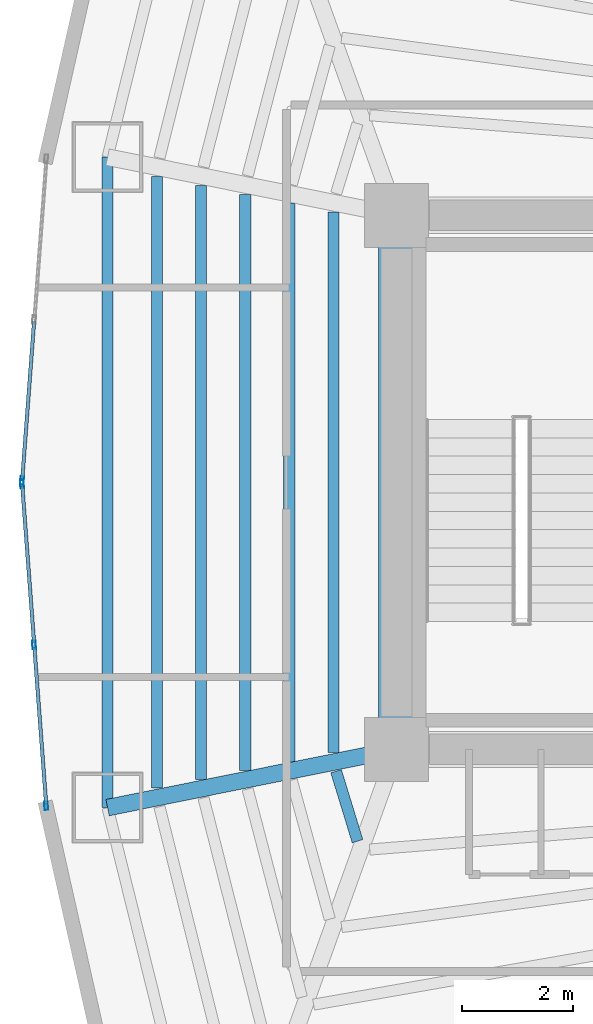
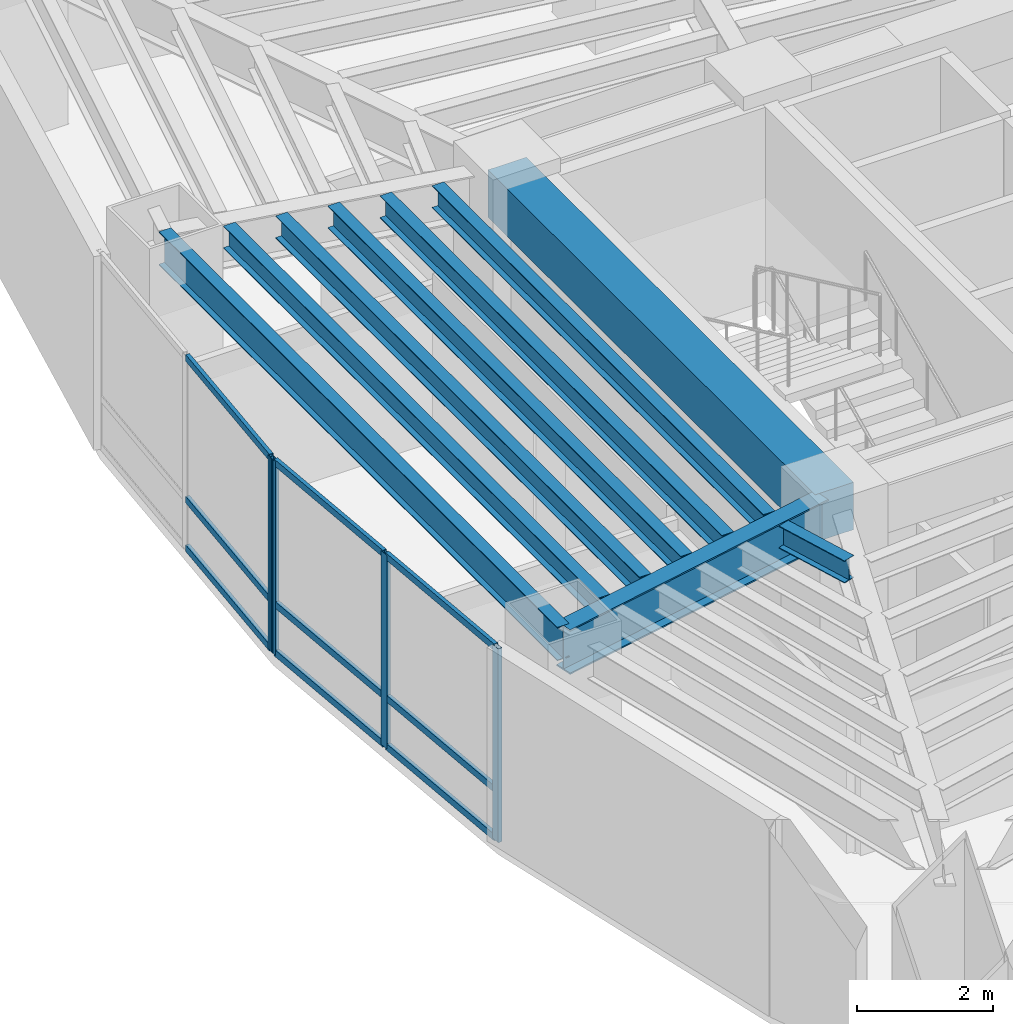
# One storey, part 3 of 18: 13 members, 9 beams, 2 elements without a shape of their own.
"""IFC4 building model written with IfcOpenShell, lengths in metres."""

from ifc_helpers import new_model, si_unit, direction, frame, origin, origin_2d, place, context, subcontext, project, spatial, rectangle, hollow_rectangle, i_section, extrude, material, layer, layer_set, material_profile, profile_set, type_object, element, aggregate, save


model = new_model("IFC4")

# Units and contexts
model_context = context("Model", 3, precision=1e-05, world=origin(), true_north=direction((0.0, 1.0)))
body_context = subcontext(model_context, "Body", "Model", "MODEL_VIEW")
ifc_project = project(units=[si_unit("LENGTHUNIT", "METRE"), si_unit("AREAUNIT", "SQUARE_METRE"), si_unit("VOLUMEUNIT", "CUBIC_METRE"), si_unit("PLANEANGLEUNIT", "RADIAN"), si_unit("MASSUNIT", "GRAM", prefix="KILO")], contexts=[model_context])

# Site, building, storey
site_placement = place(None, origin())
site = spatial("IfcSite", under=ifc_project, at=site_placement, CompositionType="ELEMENT")
building_placement = place(site_placement, origin())
building = spatial("IfcBuilding", under=site, at=building_placement, Name="Menara Vayukalpa", CompositionType="ELEMENT")
storey_placement = place(building_placement, frame((0.0, 0.0, 89.10009765625)))
storey = spatial("IfcBuildingStorey", under=building, at=storey_placement, Name="L21", CompositionType="ELEMENT", Elevation=89.10009765625)

# Beams
ifc_material_1 = material(Name="Concrete C60/75", Category="concrete")
ifc_material_profile_1 = material_profile(ifc_material_1, rectangle(XDim=0.64990234375, YDim=0.85009765625, at=origin_2d()), Name="RC 650x850")
ifc_profile_set_1 = profile_set([ifc_material_profile_1], Name="Concrete C60/75")
beam_type_1 = type_object("IfcBeamType", Name="BM-CB1", PredefinedType="BEAM", material=ifc_profile_set_1)
beam_1_placement = place(storey_placement, frame((17.800048828125, 17.199951171875, 3.044921875), z_axis=(0.0, 1.0, 0.0), x_axis=(-1.0, 0.0, 0.0)))
element("IfcBeam", 1, at=beam_1_placement, inside=storey, type_object=beam_type_1, Name="L21 Core Tie Beam CBR7", PredefinedType="BEAM", context=body_context, shape_type="SweptSolid", body=[
    extrude(rectangle(XDim=0.64990234375, YDim=0.85009765625, at=origin_2d()), origin(), (0.0, 0.0, 1.0), 9.60009765625),
])
ifc_material_2 = material(Name="Steel S355", Category="steel")
ifc_material_profile_2 = material_profile(ifc_material_2, i_section(OverallWidth=0.300048828125, OverallDepth=0.800048828125, WebThickness=0.013916015625, FlangeThickness=0.02587890625, at=origin_2d()), Name="WF 800x300x14x26")
ifc_profile_set_2 = profile_set([ifc_material_profile_2], Name="Steel S355")
beam_type_2 = type_object("IfcBeamType", Name="BM-PG3", PredefinedType="BEAM", material=ifc_profile_set_2)
beam_2_placement = place(storey_placement, frame((17.554931640625, 17.150634765625, 3.06982421875), z_axis=(-0.980324984906, -0.197390283373, 0.0), x_axis=(0.197390283373, -0.980324984906, 0.0)))
element("IfcBeam", 2, at=beam_2_placement, inside=storey, type_object=beam_type_2, Name="L21 Primary Radial Girder RG06", PredefinedType="BEAM", context=body_context, shape_type="SweptSolid", body=[
    extrude(i_section(OverallWidth=0.300048828125, OverallDepth=0.800048828125, WebThickness=0.013916015625, FlangeThickness=0.02587890625, at=origin_2d()), origin(), (0.0, 0.0, 1.0), 5.047607421875),
])
ifc_material_3 = material(Name="Steel S355", Category="steel")
ifc_material_profile_3 = material_profile(ifc_material_3, i_section(OverallWidth=0.199951171875, OverallDepth=0.39990234375, WebThickness=0.008056640625, FlangeThickness=0.012939453125, at=origin_2d()), Name="WF 400x200x8x13")
ifc_profile_set_3 = profile_set([ifc_material_profile_3], Name="Steel S355")
beam_type_3 = type_object("IfcBeamType", Name="BM-SJ2", PredefinedType="JOIST", material=ifc_profile_set_3)
beam_3_placement = place(storey_placement, frame((16.664306640625, 26.858642578125, 3.27001953125), z_axis=(0.0, -1.0, 0.0), x_axis=(1.0, 0.0, 0.0)))
element("IfcBeam", 3, at=beam_3_placement, inside=storey, type_object=beam_type_3, Name="L21 Secondary Floor Joist SJ05-1", PredefinedType="JOIST", context=body_context, shape_type="SweptSolid", body=[
    extrude(i_section(OverallWidth=0.199951171875, OverallDepth=0.39990234375, WebThickness=0.008056640625, FlangeThickness=0.012939453125, at=origin_2d()), origin(), (0.0, 0.0, 1.0), 9.71728515625),
])
beam_4_placement = place(storey_placement, frame((15.87255859375, 27.01806640625, 3.27001953125), z_axis=(0.0, -1.0, 0.0), x_axis=(1.0, 0.0, 0.0)))
element("IfcBeam", 4, at=beam_4_placement, inside=storey, type_object=beam_type_3, Name="L21 Secondary Floor Joist SJ05-2", PredefinedType="JOIST", context=body_context, shape_type="SweptSolid", body=[
    extrude(i_section(OverallWidth=0.199951171875, OverallDepth=0.39990234375, WebThickness=0.008056640625, FlangeThickness=0.012939453125, at=origin_2d()), origin(), (0.0, 0.0, 1.0), 10.0361328125),
])
beam_5_placement = place(storey_placement, frame((15.080810546875, 27.177490234375, 3.27001953125), z_axis=(0.0, -1.0, 0.0), x_axis=(1.0, 0.0, 0.0)))
element("IfcBeam", 5, at=beam_5_placement, inside=storey, type_object=beam_type_3, Name="L21 Secondary Floor Joist SJ05-3", PredefinedType="JOIST", context=body_context, shape_type="SweptSolid", body=[
    extrude(i_section(OverallWidth=0.199951171875, OverallDepth=0.39990234375, WebThickness=0.008056640625, FlangeThickness=0.012939453125, at=origin_2d()), origin(), (0.0, 0.0, 1.0), 10.35498046875),
])
beam_6_placement = place(storey_placement, frame((14.2890625, 27.3369140625, 3.27001953125), z_axis=(0.0, -1.0, 0.0), x_axis=(1.0, 0.0, 0.0)))
element("IfcBeam", 6, at=beam_6_placement, inside=storey, type_object=beam_type_3, Name="L21 Secondary Floor Joist SJ05-4", PredefinedType="JOIST", context=body_context, shape_type="SweptSolid", body=[
    extrude(i_section(OverallWidth=0.199951171875, OverallDepth=0.39990234375, WebThickness=0.008056640625, FlangeThickness=0.012939453125, at=origin_2d()), origin(), (0.0, 0.0, 1.0), 10.673828125),
])
beam_7_placement = place(storey_placement, frame((13.497314453125, 27.496337890625, 3.27001953125), z_axis=(0.0, -1.0, 0.0), x_axis=(1.0, 0.0, 0.0)))
element("IfcBeam", 7, at=beam_7_placement, inside=storey, type_object=beam_type_3, Name="L21 Secondary Floor Joist SJ05-5", PredefinedType="JOIST", context=body_context, shape_type="SweptSolid", body=[
    extrude(i_section(OverallWidth=0.199951171875, OverallDepth=0.39990234375, WebThickness=0.008056640625, FlangeThickness=0.012939453125, at=origin_2d()), origin(), (0.0, 0.0, 1.0), 10.99267578125),
])
beam_8_placement = place(storey_placement, frame((16.714111328125, 16.808837890625, 3.27001953125), z_axis=(0.292651981473, -0.956219021846, 0.0), x_axis=(0.956219021846, 0.292651981473, 0.0)))
element("IfcBeam", 8, at=beam_8_placement, inside=storey, type_object=beam_type_3, Name="L21 Secondary Floor Joist SJ06-1", PredefinedType="JOIST", context=body_context, shape_type="SweptSolid", body=[
    extrude(i_section(OverallWidth=0.199951171875, OverallDepth=0.39990234375, WebThickness=0.008056640625, FlangeThickness=0.012939453125, at=origin_2d()), origin(), (0.0, 0.0, 1.0), 1.31640625),
])
ifc_material_4 = material(Name="Steel S355", Category="steel")
ifc_material_profile_4 = material_profile(ifc_material_4, i_section(OverallWidth=0.199951171875, OverallDepth=0.60009765625, WebThickness=0.010986328125, FlangeThickness=0.01708984375, at=origin_2d()), Name="WF 600x200x11x17")
ifc_profile_set_4 = profile_set([ifc_material_profile_4], Name="Steel S355")
beam_type_4 = type_object("IfcBeamType", Name="BM-SP1", PredefinedType="SPANDREL", material=ifc_profile_set_4)
beam_9_placement = place(storey_placement, frame((12.606689453125, 27.845703125, 3.169921875), z_axis=(0.0, -1.0, 0.0), x_axis=(1.0, 0.0, 0.0)))
element("IfcBeam", 9, at=beam_9_placement, inside=storey, type_object=beam_type_4, Name="L21 Perimeter Spandrel Beam SP05", PredefinedType="SPANDREL", context=body_context, shape_type="SweptSolid", body=[
    extrude(i_section(OverallWidth=0.199951171875, OverallDepth=0.60009765625, WebThickness=0.010986328125, FlangeThickness=0.01708984375, at=origin_2d()), origin(), (0.0, 0.0, 1.0), 11.69140625),
])

# Curtain wall, member
ifc_material_5 = material(Name="Anodised Terracotta Aluminium Alloy 6063-T6", Category="masonry")
ifc_layer = layer(ifc_material_5, 0.14990234375)
ifc_layer_set = layer_set([ifc_layer], Name="Anodised Terracotta Aluminium Alloy 6063-T6")
curtain_wall_type = type_object("IfcCurtainWallType", Name="CW-CW3", PredefinedType="USERDEFINED", material=ifc_layer_set)
curtain_wall_1_placement = place(storey_placement, origin())
curtain_wall_1 = element("IfcCurtainWall", 10, at=curtain_wall_1_placement, inside=storey, type_object=curtain_wall_type, Name="L21 Mid Rise Terracotta Ribbon Curtain Wall CW3 10", ObjectType="UNITISED", PredefinedType="USERDEFINED")
ifc_material_6 = material(Name="Anodised Terracotta Aluminium Alloy 6063-T6", Category="masonry")
ifc_material_profile_5 = material_profile(ifc_material_6, hollow_rectangle(XDim=0.06494140625, YDim=0.14990234375, WallThickness=0.00341796875, at=origin_2d()), Name="ALU 65x150x3.5")
ifc_profile_set_5 = profile_set([ifc_material_profile_5], Name="Anodised Terracotta Aluminium Alloy 6063-T6")
member_type_1 = type_object("IfcMemberType", Name="CWM-CW3", PredefinedType="MULLION", material=ifc_profile_set_5)
member_1_placement = place(storey_placement, frame((11.070556640625, 22.032470703125, 0.0), z_axis=(0.0, 0.0, 1.0), x_axis=(0.997199659745, -0.07478528334, 0.0)))
member_1 = element("IfcMember", 11, at=member_1_placement, type_object=member_type_1, Name="CW3 mullion 3", PredefinedType="MULLION", context=body_context, shape_type="SweptSolid", body=[
    extrude(hollow_rectangle(XDim=0.06494140625, YDim=0.14990234375, WallThickness=0.00341796875, at=origin_2d()), origin(), (0.0, 0.0, 1.0), 3.469970703125),
])

# Curtain wall, members
curtain_wall_2_placement = place(storey_placement, origin())
curtain_wall_2 = element("IfcCurtainWall", 12, at=curtain_wall_2_placement, inside=storey, type_object=curtain_wall_type, Name="L21 Mid Rise Terracotta Ribbon Curtain Wall CW3 11", ObjectType="UNITISED", PredefinedType="USERDEFINED")
member_2_placement = place(storey_placement, frame((11.070556640625, 21.967529296875, 0.0), z_axis=(0.0, 0.0, 1.0), x_axis=(0.997199659745, 0.07478528334, 0.0)))
member_2 = element("IfcMember", 13, at=member_2_placement, type_object=member_type_1, Name="CW3 mullion 1", PredefinedType="MULLION", context=body_context, shape_type="SweptSolid", body=[
    extrude(hollow_rectangle(XDim=0.06494140625, YDim=0.14990234375, WallThickness=0.00341796875, at=origin_2d()), origin(), (0.0, 0.0, 1.0), 3.469970703125),
])
member_3_placement = place(storey_placement, frame((11.287353515625, 19.0771484375, 0.0), z_axis=(0.0, 0.0, 1.0), x_axis=(0.997199659745, 0.07478528334, 0.0)))
member_3 = element("IfcMember", 14, at=member_3_placement, type_object=member_type_1, Name="CW3 mullion 2", PredefinedType="MULLION", context=body_context, shape_type="SweptSolid", body=[
    extrude(hollow_rectangle(XDim=0.06494140625, YDim=0.14990234375, WallThickness=0.00341796875, at=origin_2d()), origin(), (0.0, 0.0, 1.0), 3.469970703125),
])
member_4_placement = place(storey_placement, frame((11.504150390625, 16.186767578125, 0.0), z_axis=(0.0, 0.0, 1.0), x_axis=(0.997199659745, 0.07478528334, 0.0)))
member_4 = element("IfcMember", 15, at=member_4_placement, type_object=member_type_1, Name="CW3 mullion 3", PredefinedType="MULLION", context=body_context, shape_type="SweptSolid", body=[
    extrude(hollow_rectangle(XDim=0.06494140625, YDim=0.14990234375, WallThickness=0.00341796875, at=origin_2d()), origin(), (0.0, 0.0, 1.0), 3.469970703125),
])

# Member
ifc_material_7 = material(Name="Anodised Terracotta Aluminium Alloy 6063-T6", Category="masonry")
ifc_material_profile_6 = material_profile(ifc_material_7, hollow_rectangle(XDim=0.06494140625, YDim=0.1201171875, WallThickness=0.00341796875, at=origin_2d()), Name="ALU 65x120x3.5")
ifc_profile_set_6 = profile_set([ifc_material_profile_6], Name="Anodised Terracotta Aluminium Alloy 6063-T6")
member_type_2 = type_object("IfcMemberType", Name="CWT-CW3", PredefinedType="USERDEFINED", material=ifc_profile_set_6)
member_5_placement = place(storey_placement, frame((11.284912109375, 24.890380859375, 0.032470703125), z_axis=(-0.074785664408, -0.997199631167, 0.0), x_axis=(0.997199631167, -0.074785664408, 0.0)))
member_5 = element("IfcMember", 16, at=member_5_placement, type_object=member_type_2, Name="CW3 transom 2.1", ObjectType="TRANSOM", PredefinedType="USERDEFINED", context=body_context, shape_type="SweptSolid", body=[
    extrude(hollow_rectangle(XDim=0.06494140625, YDim=0.1201171875, WallThickness=0.00341796875, at=origin_2d()), origin(), (0.0, 0.0, 1.0), 2.833740234375),
])

member_6_placement = place(storey_placement, frame((11.284912109375, 24.890380859375, 0.89990234375), z_axis=(-0.074785664408, -0.997199631167, 0.0), x_axis=(0.997199631167, -0.074785664408, 0.0)))
member_6 = element("IfcMember", 17, at=member_6_placement, type_object=member_type_2, Name="CW3 transom 2.2", ObjectType="TRANSOM", PredefinedType="USERDEFINED", context=body_context, shape_type="SweptSolid", body=[
    extrude(hollow_rectangle(XDim=0.06494140625, YDim=0.1201171875, WallThickness=0.00341796875, at=origin_2d()), origin(), (0.0, 0.0, 1.0), 2.833740234375),
])

member_7_placement = place(storey_placement, frame((11.284912109375, 24.890380859375, 3.4375), z_axis=(-0.074785664408, -0.997199631167, 0.0), x_axis=(0.997199631167, -0.074785664408, 0.0)))
member_7 = element("IfcMember", 18, at=member_7_placement, type_object=member_type_2, Name="CW3 transom 2.3", ObjectType="TRANSOM", PredefinedType="USERDEFINED", context=body_context, shape_type="SweptSolid", body=[
    extrude(hollow_rectangle(XDim=0.06494140625, YDim=0.1201171875, WallThickness=0.00341796875, at=origin_2d()), origin(), (0.0, 0.0, 1.0), 2.833740234375),
])

aggregate(curtain_wall_1, [member_1, member_5, member_6, member_7])

member_8_placement = place(storey_placement, frame((11.072998046875, 21.935302734375, 0.032470703125), z_axis=(0.074785664408, -0.997199631167, 0.0), x_axis=(0.997199631167, 0.074785664408, 0.0)))
member_8 = element("IfcMember", 19, at=member_8_placement, type_object=member_type_2, Name="CW3 transom 1.1", ObjectType="TRANSOM", PredefinedType="USERDEFINED", context=body_context, shape_type="SweptSolid", body=[
    extrude(hollow_rectangle(XDim=0.06494140625, YDim=0.1201171875, WallThickness=0.00341796875, at=origin_2d()), origin(), (0.0, 0.0, 1.0), 2.833740234375),
])

member_9_placement = place(storey_placement, frame((11.072998046875, 21.935302734375, 0.89990234375), z_axis=(0.074785664408, -0.997199631167, 0.0), x_axis=(0.997199631167, 0.074785664408, 0.0)))
member_9 = element("IfcMember", 20, at=member_9_placement, type_object=member_type_2, Name="CW3 transom 1.2", ObjectType="TRANSOM", PredefinedType="USERDEFINED", context=body_context, shape_type="SweptSolid", body=[
    extrude(hollow_rectangle(XDim=0.06494140625, YDim=0.1201171875, WallThickness=0.00341796875, at=origin_2d()), origin(), (0.0, 0.0, 1.0), 2.833740234375),
])

member_10_placement = place(storey_placement, frame((11.072998046875, 21.935302734375, 3.4375), z_axis=(0.074785664408, -0.997199631167, 0.0), x_axis=(0.997199631167, 0.074785664408, 0.0)))
member_10 = element("IfcMember", 21, at=member_10_placement, type_object=member_type_2, Name="CW3 transom 1.3", ObjectType="TRANSOM", PredefinedType="USERDEFINED", context=body_context, shape_type="SweptSolid", body=[
    extrude(hollow_rectangle(XDim=0.06494140625, YDim=0.1201171875, WallThickness=0.00341796875, at=origin_2d()), origin(), (0.0, 0.0, 1.0), 2.833740234375),
])

member_11_placement = place(storey_placement, frame((11.289794921875, 19.044677734375, 0.032470703125), z_axis=(0.074792090342, -0.997199149229, 0.0), x_axis=(0.997199149229, 0.074792090342, 0.0)))
member_11 = element("IfcMember", 22, at=member_11_placement, type_object=member_type_2, Name="CW3 transom 2.1", ObjectType="TRANSOM", PredefinedType="USERDEFINED", context=body_context, shape_type="SweptSolid", body=[
    extrude(hollow_rectangle(XDim=0.06494140625, YDim=0.1201171875, WallThickness=0.00341796875, at=origin_2d()), origin(), (0.0, 0.0, 1.0), 2.83349609375),
])

member_12_placement = place(storey_placement, frame((11.289794921875, 19.044677734375, 0.89990234375), z_axis=(0.074792090342, -0.997199149229, 0.0), x_axis=(0.997199149229, 0.074792090342, 0.0)))
member_12 = element("IfcMember", 23, at=member_12_placement, type_object=member_type_2, Name="CW3 transom 2.2", ObjectType="TRANSOM", PredefinedType="USERDEFINED", context=body_context, shape_type="SweptSolid", body=[
    extrude(hollow_rectangle(XDim=0.06494140625, YDim=0.1201171875, WallThickness=0.00341796875, at=origin_2d()), origin(), (0.0, 0.0, 1.0), 2.83349609375),
])

member_13_placement = place(storey_placement, frame((11.289794921875, 19.044677734375, 3.4375), z_axis=(0.074792090342, -0.997199149229, 0.0), x_axis=(0.997199149229, 0.074792090342, 0.0)))
member_13 = element("IfcMember", 24, at=member_13_placement, type_object=member_type_2, Name="CW3 transom 2.3", ObjectType="TRANSOM", PredefinedType="USERDEFINED", context=body_context, shape_type="SweptSolid", body=[
    extrude(hollow_rectangle(XDim=0.06494140625, YDim=0.1201171875, WallThickness=0.00341796875, at=origin_2d()), origin(), (0.0, 0.0, 1.0), 2.83349609375),
])

aggregate(curtain_wall_2, [member_2, member_3, member_4, member_8, member_9, member_10, member_11, member_12, member_13])

save(model, "model.ifc")
